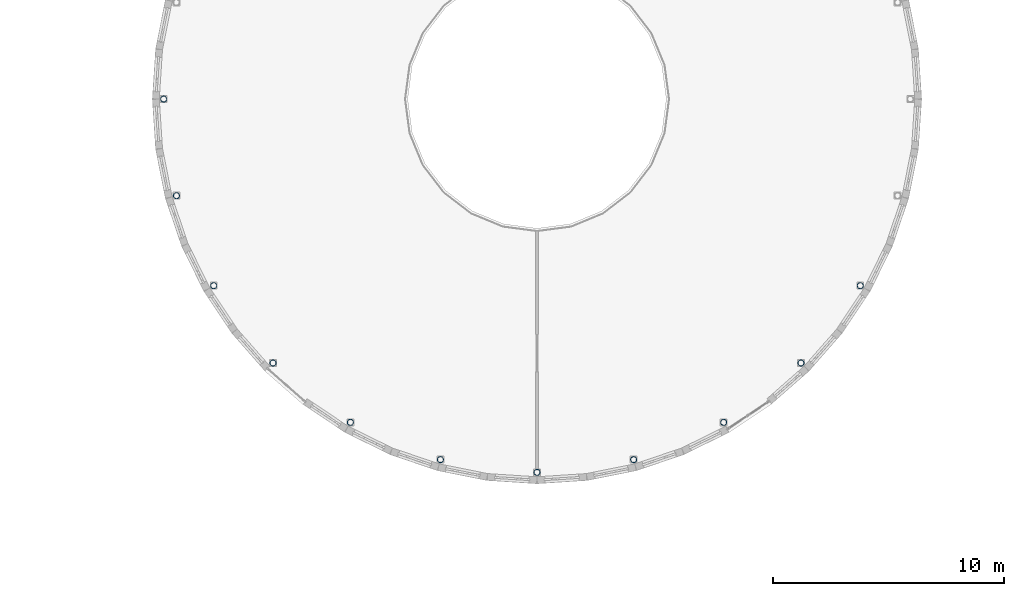
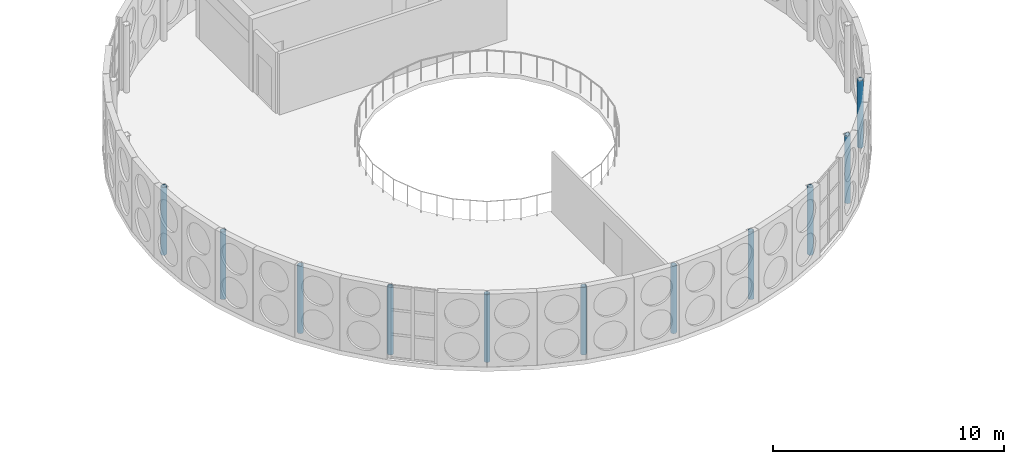
# One storey, part 3 of 114: 11 columns.
"""IFC4 building model written with IfcOpenShell, lengths in metres."""

from ifc_helpers import new_model, si_unit, direction, frame, origin, origin_2d, place, context, subcontext, project, spatial, hollow_circle, extrude, material, material_profile, profile_set, type_object, element, save


model = new_model("IFC4")

# Units and contexts
model_context = context("Model", 3, precision=1e-05, world=origin(), true_north=direction((0.0, 1.0)))
body_context = subcontext(model_context, "Body", "Model", "MODEL_VIEW")
ifc_project = project(units=[si_unit("LENGTHUNIT", "METRE"), si_unit("AREAUNIT", "SQUARE_METRE"), si_unit("VOLUMEUNIT", "CUBIC_METRE"), si_unit("PLANEANGLEUNIT", "RADIAN"), si_unit("MASSUNIT", "GRAM", prefix="KILO")], contexts=[model_context])

# Site, building, storey
site_placement = place(None, origin())
site = spatial("IfcSite", under=ifc_project, at=site_placement, CompositionType="ELEMENT")
building_placement = place(site_placement, origin())
building = spatial("IfcBuilding", under=site, at=building_placement, Name="Montecoro Central Library", CompositionType="ELEMENT")
storey_placement = place(building_placement, frame((0.0, 0.0, 13.260009765625)))
storey = spatial("IfcBuildingStorey", under=building, at=storey_placement, Name="L03", CompositionType="ELEMENT", Elevation=13.260009765625)

# Columns
ifc_material = material(Name="Steel S355", Category="steel")
ifc_material_profile = material_profile(ifc_material, hollow_circle(Radius=0.136474609375, WallThickness=0.012451171875, at=origin_2d()), Name="CHS 273.0x12.5")
ifc_profile_set = profile_set([ifc_material_profile], Name="Steel S355")
column_type = type_object("IfcColumnType", Name="COL-CHS273", PredefinedType="COLUMN", material=ifc_profile_set)
for number, where, z_axis, x_axis, name in (
    (1, (75.419921875, 35.39990234375, 0.0), (0.0, 0.0, 1.0), (1.0, 0.0, 0.0), "V1-L03-DCOL-13"),
    (2, (75.970947265625, 31.2119140625, 0.0), (0.0, 0.0, 1.0), (1.0, 0.0, 0.0), "V1-L03-DCOL-14"),
    (3, (77.587890625, 27.31005859375, 0.0), (0.0, 0.0, 1.0), (1.0, 0.0, 0.0), "V1-L03-DCOL-15"),
    (4, (80.158935546875, 23.958984375, 0.0), (0.0, 0.0, 1.0), (1.0, 0.0, 0.0), "V1-L03-DCOL-16"),
    (5, (83.510009765625, 21.387939453125, 0.0), (0.0, 0.0, 1.0), (1.0, 0.0, 0.0), "V1-L03-DCOL-17"),
    (6, (87.412109375, 19.77099609375, 0.0), (0.0, 0.0, 1.0), (1.0, 0.0, 0.0), "V1-L03-DCOL-18"),
    (7, (91.60009765625, 19.219970703125, 0.0), (0.0, 0.0, 1.0), (1.0, 0.0, 0.0), "V1-L03-DCOL-19"),
    (8, (95.7880859375, 19.77099609375, 0.0), (0.0, 0.0, 1.0), (1.0, 0.0, 0.0), "V1-L03-DCOL-20"),
    (9, (99.68994140625, 21.387939453125, 0.0), (0.0, 0.0, 1.0), (1.0, 0.0, 0.0), "V1-L03-DCOL-21"),
    (10, (103.041015625, 23.958984375, 0.0), (0.0, 0.0, 1.0), (1.0, 0.0, 0.0), "V1-L03-DCOL-22"),
    (11, (105.612060546875, 27.31005859375, 0.0), (0.0, 0.0, 1.0), (1.0, 0.0, 0.0), "V1-L03-DCOL-23"),
):
    element("IfcColumn", number, at=place(storey_placement, frame(where, z_axis=z_axis, x_axis=x_axis)), inside=storey, type_object=column_type, Name=name, PredefinedType="COLUMN", context=body_context, shape_type="SweptSolid", body=[
        extrude(hollow_circle(Radius=0.136474609375, WallThickness=0.012451171875, at=origin_2d()), origin(), (0.0, 0.0, 1.0), 3.580078125),
    ])

save(model, "model.ifc")
